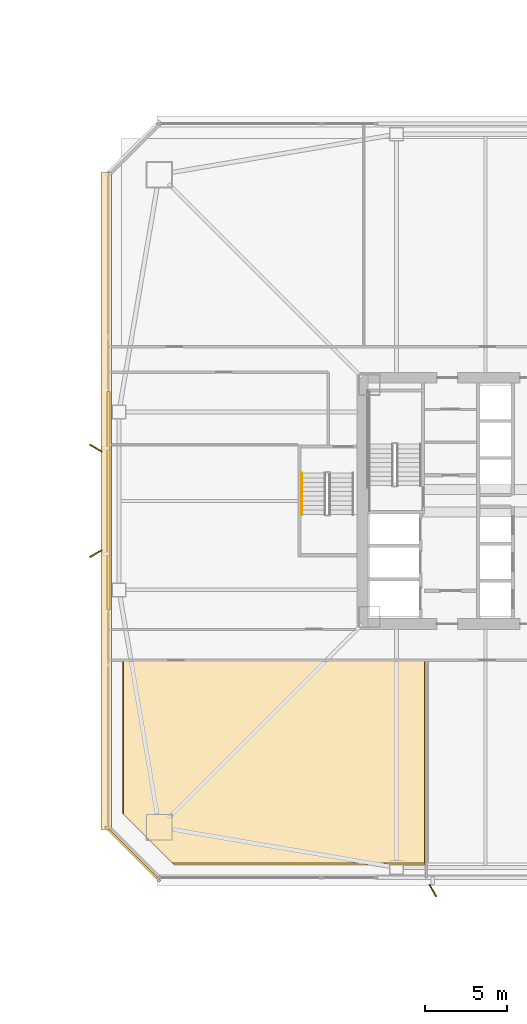
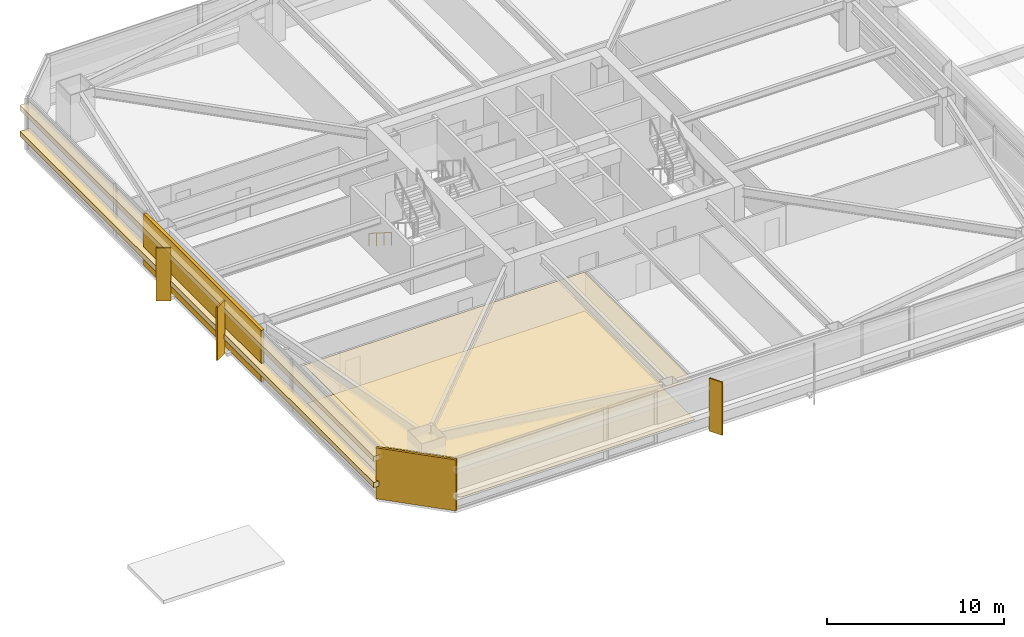
# One storey, part 51 of 62: 6 coverings, 3 shading devices, 1 railing.
"""IFC4 building model written with IfcOpenShell, lengths in metres."""

import ifcopenshell
import ifcopenshell.guid

model = None  # the IFC model being written
_history = None  # IfcOwnerHistory: only IFC2X3 demands one
_inside = {}  # id of a spatial element -> (the spatial element, [elements in it])
_under = {}  # id of a project, library or spatial element -> (it, [spatial elements below it])
_declared = {}  # id of a project -> (the project, [libraries it declares])
_typed = {}  # id of a type object -> (the type object, [elements of that type])
_made_of = {}  # id of a material, layer set ... -> (it, [elements and type objects made of it])


def new_model(schema):
    """Start an empty IFC model of exactly this schema.

    Asked for "IFC4X3", IfcOpenShell would pick the latest addendum, in which some entities
    have other attributes; the version numbers below select the first issue.
    IFC2X3 requires an IfcOwnerHistory on every rooted entity: one is made here for all.
    """
    global model, _history
    if schema == "IFC4X3":
        model = ifcopenshell.file(schema_version=(4, 3, 0, 0))
    else:
        model = ifcopenshell.file(schema=schema)
    _inside.clear()
    _under.clear()
    _declared.clear()
    _typed.clear()
    _made_of.clear()
    _history = None
    if model.schema == "IFC2X3":
        org = make("IfcOrganization", Name="unknown")
        user = make(
            "IfcPersonAndOrganization",
            ThePerson=make("IfcPerson", FamilyName="unknown"),
            TheOrganization=org,
        )
        app = make(
            "IfcApplication",
            ApplicationDeveloper=org,
            Version="unknown",
            ApplicationFullName="unknown",
            ApplicationIdentifier="unknown",
        )
        _history = make(
            "IfcOwnerHistory",
            OwningUser=user,
            OwningApplication=app,
            ChangeAction="ADDED",
            CreationDate=0,
        )
    return model


def make(cls, **values):
    """One entity of the class cls with the attributes given. An attribute that is None is left unset."""
    return model.create_entity(
        cls, **{name: value for name, value in values.items() if value is not None}
    )


def rooted(cls, **values):
    """An entity with a GlobalId (a new one), such as an element, a storey or a relation."""
    return make(cls, GlobalId=ifcopenshell.guid.new(), OwnerHistory=_history, **values)


def si_unit(unit_type, name, prefix=None):
    """IfcSIUnit, for example si_unit("LENGTHUNIT", "METRE", prefix="MILLI")."""
    return make("IfcSIUnit", UnitType=unit_type, Prefix=prefix, Name=name)


def assignment(units):
    """IfcUnitAssignment: the units of a project."""
    return None if units is None else make("IfcUnitAssignment", Units=units)


def point(xyz):
    """IfcCartesianPoint."""
    return None if xyz is None else make("IfcCartesianPoint", Coordinates=xyz)


def direction(xyz):
    """IfcDirection."""
    return None if xyz is None else make("IfcDirection", DirectionRatios=xyz)


def frame(location, z_axis=None, x_axis=None):
    """IfcAxis2Placement3D, a coordinate frame: its origin and axes. An axis left out is left unset."""
    return make(
        "IfcAxis2Placement3D",
        Location=point(location),
        Axis=direction(z_axis),
        RefDirection=direction(x_axis),
    )


def frame_2d(location, x_axis=None):
    """IfcAxis2Placement2D, a coordinate frame in the plane: its origin and x axis."""
    return make(
        "IfcAxis2Placement2D", Location=point(location), RefDirection=direction(x_axis)
    )


def origin():
    """The frame at (0, 0, 0) with its axes left unset."""
    return frame((0.0, 0.0, 0.0))


def origin_2d():
    """The frame at (0, 0) in the plane with its x axis left unset."""
    return frame_2d((0.0, 0.0))


def place(relative_to, where):
    """IfcLocalPlacement: puts the frame where relative to a parent placement (None: the world)."""
    return make(
        "IfcLocalPlacement", PlacementRelTo=relative_to, RelativePlacement=where
    )


def context(
    kind, dimensions, precision=None, world=None, true_north=None, identifier=None
):
    """IfcGeometricRepresentationContext, for example the 3D "Model" context."""
    return make(
        "IfcGeometricRepresentationContext",
        ContextIdentifier=identifier,
        ContextType=kind,
        CoordinateSpaceDimension=dimensions,
        Precision=precision,
        WorldCoordinateSystem=world,
        TrueNorth=true_north,
    )


def subcontext(parent, identifier, kind, view, scale=None):
    """IfcGeometricRepresentationSubContext, for example "Body" below "Model"."""
    return make(
        "IfcGeometricRepresentationSubContext",
        ContextIdentifier=identifier,
        ContextType=kind,
        ParentContext=parent,
        TargetScale=scale,
        TargetView=view,
    )


def project(units=None, contexts=None):
    """IfcProject with its units and contexts."""
    return rooted(
        "IfcProject",
        Name="project",
        RepresentationContexts=contexts,
        UnitsInContext=assignment(units),
    )


def spatial(cls, under=None, at=None, **own):
    """A site, building, storey or space (cls), placed at a placement, below another one or the project."""
    s = rooted(cls, ObjectPlacement=at, **own)
    if under is not None:
        _under.setdefault(under.id(), (under, []))[1].append(s)
    return s


def polyline(points):
    """IfcPolyline through the points."""
    return make("IfcPolyline", Points=[point(p) for p in points])


def profile(cls, at=None, kind="AREA", **sizes):
    """A parametric profile (cls). Its sizes go by their IFC names, for example OverallWidth=200.0."""
    return make(cls, ProfileType=kind, Position=at, **sizes)


def rectangle(**sizes):
    """IfcRectangleProfileDef."""
    return profile("IfcRectangleProfileDef", **sizes)


def outline(outer, holes=None, kind="AREA"):
    """IfcArbitraryClosedProfileDef: a profile drawn as a closed curve; with holes, ...WithVoids."""
    if holes is None:
        return make("IfcArbitraryClosedProfileDef", ProfileType=kind, OuterCurve=outer)
    return make(
        "IfcArbitraryProfileDefWithVoids",
        ProfileType=kind,
        OuterCurve=outer,
        InnerCurves=holes,
    )


def extrude(swept, where, along, depth):
    """IfcExtrudedAreaSolid: the profile swept, set in the frame where, extruded along a direction by depth."""
    return make(
        "IfcExtrudedAreaSolid",
        SweptArea=swept,
        Position=where,
        ExtrudedDirection=direction(along),
        Depth=depth,
    )


def shape(context_of_items, identifier, shape_type, items):
    """IfcShapeRepresentation: the items that make up one representation, for example the "Body"."""
    return make(
        "IfcShapeRepresentation",
        ContextOfItems=context_of_items,
        RepresentationIdentifier=identifier,
        RepresentationType=shape_type,
        Items=items,
    )


def material(Name=None, Category=None):
    """IfcMaterial."""
    return make("IfcMaterial", Name=Name, Category=Category)


def layer(
    of_material, thickness, ventilated=None, Name=None, Category=None, Priority=None
):
    """IfcMaterialLayer: one layer of a wall or slab, of a material (None: an air gap)."""
    return make(
        "IfcMaterialLayer",
        Material=of_material,
        LayerThickness=thickness,
        IsVentilated=ventilated,
        Name=Name,
        Category=Category,
        Priority=Priority,
    )


def layer_set(layers, Name=None):
    """IfcMaterialLayerSet."""
    return make("IfcMaterialLayerSet", MaterialLayers=layers, LayerSetName=Name)


def made_of(thing, what):
    """Note that an element or type object is made of a material, layer set ...; save() writes the relation."""
    if what is not None:
        _made_of.setdefault(what.id(), (what, []))[1].append(thing)
    return thing


def type_object(cls, material=None, **own):
    """A type object (cls), such as IfcWallType, which elements share."""
    return made_of(rooted(cls, **own), material)


def element(
    cls,
    number,
    at=None,
    inside=None,
    cuts=None,
    type_object=None,
    material=None,
    context=None,
    identifier="Body",
    shape_type=None,
    held_by="IfcProductDefinitionShape",
    body=None,
    shapes=None,
    **own,
):
    """One element of the class cls, such as IfcWall. Its Tag is "e" and its number.

    at: its placement. inside: the storey or other place that contains it. cuts: it is an
    opening in that element (IfcRelVoidsElement). A single representation is given by context,
    identifier, shape_type and body (its items); several are given by shapes. held_by: the class
    of the entity that holds the representations. save() writes the other relations.
    """
    e = rooted(cls, Tag="e%d" % number, ObjectPlacement=at, **own)
    if body is not None:
        shapes = [shape(context, identifier, shape_type, body)]
    if shapes is not None:
        e.Representation = make(held_by, Representations=shapes)
    if inside is not None:
        _inside.setdefault(inside.id(), (inside, []))[1].append(e)
    if cuts is not None:
        rooted(
            "IfcRelVoidsElement", RelatingBuildingElement=cuts, RelatedOpeningElement=e
        )
    if type_object is not None:
        _typed.setdefault(type_object.id(), (type_object, []))[1].append(e)
    return made_of(e, material)


def aggregate(whole, parts):
    """IfcRelAggregates: a whole, such as a stair, and the parts it consists of."""
    return rooted("IfcRelAggregates", RelatingObject=whole, RelatedObjects=parts)


def save(model, path):
    """Write the relations noted so far, then the file.

    IfcRelAggregates (storeys below a building ...), IfcRelContainedInSpatialStructure (elements
    in a storey), IfcRelDefinesByType, IfcRelAssociatesMaterial and IfcRelDeclares: one each for
    every whole, place, type object, material and project.
    """
    for whole, parts in _under.values():
        aggregate(whole, parts)
    for where, things in _inside.values():
        rooted(
            "IfcRelContainedInSpatialStructure",
            RelatedElements=things,
            RelatingStructure=where,
        )
    for kind, things in _typed.values():
        rooted("IfcRelDefinesByType", RelatedObjects=things, RelatingType=kind)
    for what, things in _made_of.values():
        rooted("IfcRelAssociatesMaterial", RelatedObjects=things, RelatingMaterial=what)
    for by, libraries in _declared.values():
        rooted("IfcRelDeclares", RelatingContext=by, RelatedDefinitions=libraries)
    model.write(path)


model = new_model("IFC4")

# Units and contexts
model_context = context("Model", 3, precision=1e-05, world=origin(), true_north=direction((0.0, 1.0)))
body_context = subcontext(model_context, "Body", "Model", "MODEL_VIEW")
ifc_project = project(units=[si_unit("LENGTHUNIT", "METRE"), si_unit("AREAUNIT", "SQUARE_METRE"), si_unit("VOLUMEUNIT", "CUBIC_METRE"), si_unit("PLANEANGLEUNIT", "RADIAN"), si_unit("MASSUNIT", "GRAM", prefix="KILO")], contexts=[model_context])

# Site, building, storey
site_placement = place(None, origin())
site = spatial("IfcSite", under=ifc_project, at=site_placement, CompositionType="ELEMENT")
building_placement = place(site_placement, origin())
building = spatial("IfcBuilding", under=site, at=building_placement, Name="Tashvorn Skyway Center", CompositionType="ELEMENT")
storey_placement = place(building_placement, frame((0.0, 0.0, 28.14990234375)))
storey = spatial("IfcBuildingStorey", under=building, at=storey_placement, Name="L06", CompositionType="ELEMENT", Elevation=28.14990234375)

# Coverings
ifc_material_1 = material(Name="Precast concrete C40/50", Category="concrete")
ifc_layer_1 = layer(ifc_material_1, 0.199951171875)
ifc_layer_set_1 = layer_set([ifc_layer_1], Name="Precast concrete C40/50")
covering_type_1 = type_object("IfcCoveringType", Name="COV-BRACE-CLAD", PredefinedType="CLADDING", material=ifc_layer_set_1)
covering_1_placement = place(storey_placement, frame((19.1201171875, 32.0, 0.0), z_axis=(0.0, 0.0, 1.0), x_axis=(0.0, 1.0, 0.0)))
element("IfcCovering", 1, at=covering_1_placement, inside=storey, type_object=covering_type_1, Name="Tower 1 L06 West Unitised Curtain Wall Mega-Brace Cladding Band 1", PredefinedType="CLADDING", context=body_context, shape_type="SweptSolid", body=[
    extrude(rectangle(XDim=13.25341796875, YDim=0.199951171875, at=origin_2d()), origin(), (0.0, 0.0, 1.0), 3.550048828125),
])
ifc_material_2 = material(Name="Mineral-fibre acoustic ceiling tile on suspended grid")
ifc_layer_2 = layer(ifc_material_2, 0.02001953125)
ifc_layer_set_2 = layer_set([ifc_layer_2], Name="Mineral-fibre acoustic ceiling tile on suspended grid")
covering_type_2 = type_object("IfcCoveringType", Name="COV-CEIL-20", PredefinedType="CEILING", material=ifc_layer_set_2)
covering_2_placement = place(storey_placement, frame((0.0, 0.0, 2.68310546875)))
element("IfcCovering", 2, at=covering_2_placement, inside=storey, type_object=covering_type_2, Name="Tower 1 L06 Open Plan Office Acoustic Ceiling", PredefinedType="CEILING", context=body_context, shape_type="SweptSolid", body=[
    extrude(outline(polyline([(20.02001953125, 22.2900390625), (38.280029296875, 22.2900390625), (38.280029296875, 10.02001953125), (22.97998046875, 10.02001953125), (20.02001953125, 12.97998046875), (20.02001953125, 22.2900390625)])), origin(), (0.0, 0.0, 1.0), 0.02001953125),
])
ifc_material_3 = material(Name="Polished Mojave desert-aggregate terrazzo and cover plate")
ifc_layer_3 = layer(ifc_material_3, 0.0400390625)
ifc_layer_set_3 = layer_set([ifc_layer_3], Name="Polished Mojave desert-aggregate terrazzo and cover plate")
covering_type_3 = type_object("IfcCoveringType", Name="COV-FLR-40", PredefinedType="FLOORING", material=ifc_layer_set_3)
covering_3_placement = place(storey_placement, origin())
element("IfcCovering", 3, at=covering_3_placement, inside=storey, type_object=covering_type_3, Name="Tower 1 L06 Open Plan Office Finish Flooring", PredefinedType="FLOORING", context=body_context, shape_type="SweptSolid", body=[
    extrude(outline(polyline([(23.10009765625, 9.89990234375), (19.97998046875, 13.02001953125), (19.97998046875, 22.25), (38.320068359375, 22.25), (38.320068359375, 9.89990234375), (23.10009765625, 9.89990234375)])), origin(), (0.0, 0.0, 1.0), 0.0400390625),
])
ifc_material_4 = material(Name="Perforated ceramic-coated bronze aluminium solar screen", Category="aluminium")
ifc_layer_4 = layer(ifc_material_4, 0.85009765625)
ifc_layer_set_4 = layer_set([ifc_layer_4], Name="Perforated ceramic-coated bronze aluminium solar screen")
covering_type_4 = type_object("IfcCoveringType", Name="COV-SOLAR-BAND", PredefinedType="CLADDING", material=ifc_layer_set_4)
for number, where, z_axis, x_axis, name in (
    (4, (18.97998046875, 32.0, 0.919921875), (0.0, 0.0, 1.0), (0.0, 1.0, 0.0), "L06 Perforated Ceramic-Metal Solar Screen Louvre Band West 1"),
    (5, (18.97998046875, 32.0, 2.72021484375), (0.0, 0.0, 1.0), (0.0, 1.0, 0.0), "L06 Perforated Ceramic-Metal Solar Screen Louvre Band West 2"),
):
    element("IfcCovering", number, at=place(storey_placement, frame(where, z_axis=z_axis, x_axis=x_axis)), inside=storey, type_object=covering_type_4, Name=name, PredefinedType="CLADDING", context=body_context, shape_type="SweptSolid", body=[
        extrude(rectangle(XDim=39.8798828125, YDim=0.639892578125, at=origin_2d()), origin(), (0.0, 0.0, 1.0), 0.360107421875),
    ])
ifc_layer_5 = layer(ifc_material_1, 0.35009765625)
ifc_layer_set_5 = layer_set([ifc_layer_5], Name="Precast concrete C40/50")
covering_type_5 = type_object("IfcCoveringType", Name="COV-STONE-TRIM", PredefinedType="CLADDING", material=ifc_layer_set_5)
covering_4_placement = place(storey_placement, frame((20.580078125, 10.580078125, 0.02001953125), z_axis=(0.0, 0.0, 1.0), x_axis=(-0.707106781187, 0.707106781187, 0.0)))
element("IfcCovering", 6, at=covering_4_placement, inside=storey, type_object=covering_type_5, Name="Tower 1 L06 SW Mojave Limestone Corner Quoin", PredefinedType="CLADDING", context=body_context, shape_type="SweptSolid", body=[
    extrude(rectangle(XDim=4.685546875, YDim=0.139892578125, at=origin_2d()), origin(), (0.0, 0.0, 1.0), 3.510009765625),
])

# Railing
ifc_material_5 = material(Name="Brushed stainless steel 316", Category="steel")
railing_type = type_object("IfcRailingType", Name="RAIL-HAND-920", PredefinedType="HANDRAIL", material=ifc_material_5)
railing_placement = place(storey_placement, frame((30.85009765625, 33.679931640625, 0.177490234375)))
element("IfcRailing", 7, at=railing_placement, inside=storey, type_object=railing_type, Name="L06 ST-T1-3 stair handrail 1", PredefinedType="HANDRAIL", context=body_context, shape_type="SweptSolid", body=[
    extrude(rectangle(XDim=0.048095703125, YDim=0.048095703125, at=origin_2d()), frame((0.0, 0.0, 0.8759765625), z_axis=(0.0, -0.84456994832, 0.535445237532), x_axis=(1.0, 0.0, 0.0)), (0.0, 0.0, 1.0), 2.98388671875),
    extrude(rectangle(XDim=0.0419921875, YDim=0.0419921875, at=origin_2d()), origin(), (0.0, 0.0, 1.0), 0.851806640625),
    extrude(rectangle(XDim=0.0419921875, YDim=0.0419921875, at=origin_2d()), frame((0.0, -0.840087890625, 0.532470703125)), (0.0, 0.0, 1.0), 0.851806640625),
    extrude(rectangle(XDim=0.0419921875, YDim=0.0419921875, at=origin_2d()), frame((0.0, -1.679931640625, 1.065185546875)), (0.0, 0.0, 1.0), 0.851806640625),
    extrude(rectangle(XDim=0.0419921875, YDim=0.0419921875, at=origin_2d()), frame((0.0, -2.52001953125, 1.59765625)), (0.0, 0.0, 1.0), 0.851806640625),
])

# Shading devices
ifc_layer_6 = layer(ifc_material_4, 0.06005859375)
ifc_layer_set_6 = layer_set([ifc_layer_6], Name="Perforated ceramic-coated bronze aluminium solar screen")
shading_device_type = type_object("IfcShadingDeviceType", Name="SHD-SOLAR-850", PredefinedType="USERDEFINED", material=ifc_layer_set_6)
for number, where, z_axis, x_axis, name in (
    (8, (38.800048828125, 8.35009765625, -0.099853515625), (0.0, 0.0, 1.0), (-0.866025403784, -0.5, 0.0), "Tower 1 L06 Perforated Ceramic-Metal Solar Screen S1"),
    (9, (18.35009765625, 28.800048828125, -0.099853515625), (0.0, 0.0, 1.0), (-0.5, 0.866025403784, 0.0), "Tower 1 L06 Perforated Ceramic-Metal Solar Screen W1"),
    (10, (18.35009765625, 35.199951171875, -0.099853515625), (0.0, 0.0, 1.0), (0.5, 0.866025403784, 0.0), "Tower 1 L06 Perforated Ceramic-Metal Solar Screen W2"),
):
    element("IfcShadingDevice", number, at=place(storey_placement, frame(where, z_axis=z_axis, x_axis=x_axis)), inside=storey, type_object=shading_device_type, Name=name, ObjectType="SCREEN", PredefinedType="USERDEFINED", context=body_context, shape_type="SweptSolid", body=[
        extrude(rectangle(XDim=0.080078125, YDim=0.85009765625, at=origin_2d()), origin(), (0.0, 0.0, 1.0), 3.64990234375),
    ])

save(model, "model.ifc")
